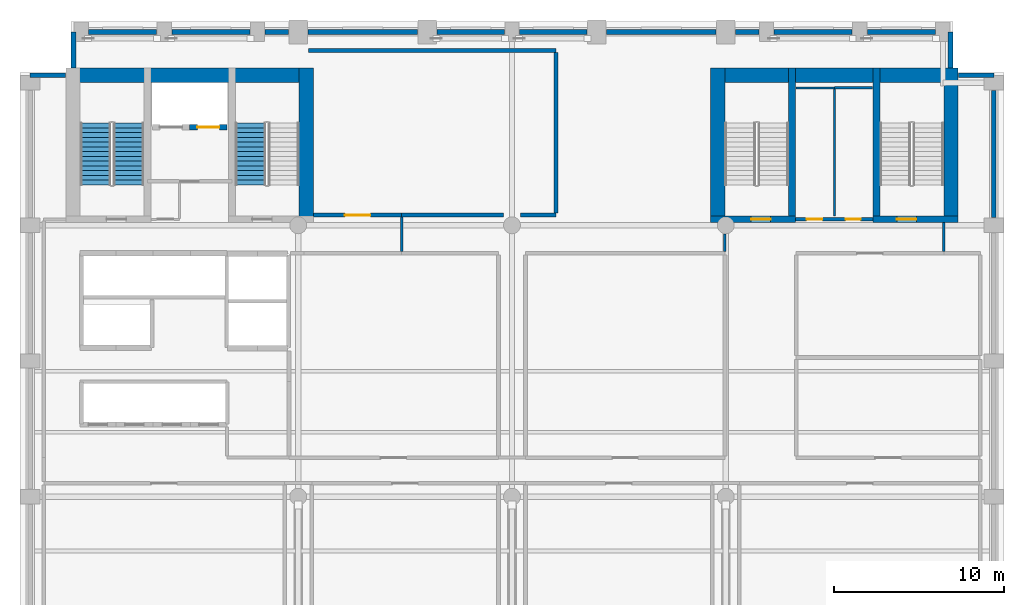
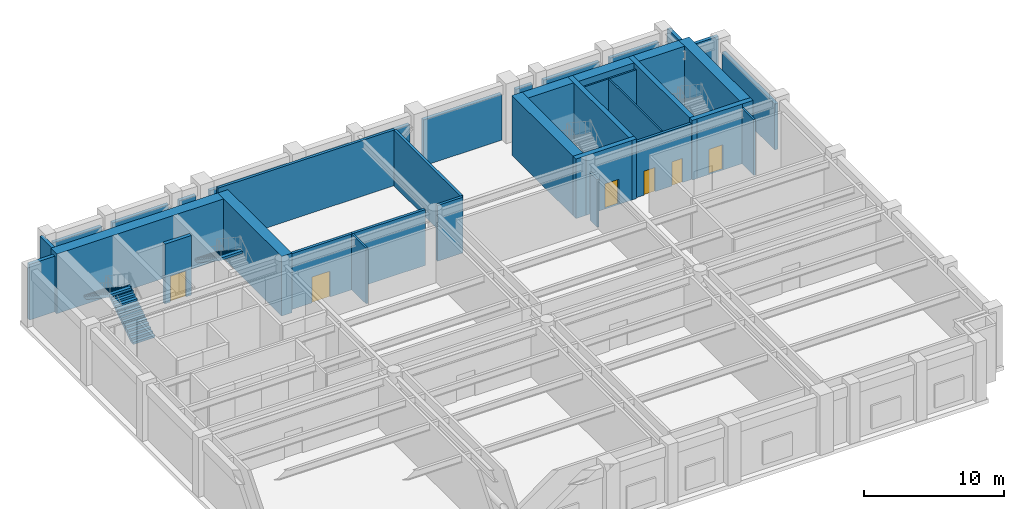
# One storey, part 7 of 11: 37 walls, 6 doors, 3 stair flights, 6 openings, 2 elements without a shape of their own.
"""IFC4 building model written with IfcOpenShell, lengths in metres."""

import ifcopenshell
import ifcopenshell.guid

model = None  # the IFC model being written
_history = None  # IfcOwnerHistory: only IFC2X3 demands one
_inside = {}  # id of a spatial element -> (the spatial element, [elements in it])
_under = {}  # id of a project, library or spatial element -> (it, [spatial elements below it])
_declared = {}  # id of a project -> (the project, [libraries it declares])
_typed = {}  # id of a type object -> (the type object, [elements of that type])
_made_of = {}  # id of a material, layer set ... -> (it, [elements and type objects made of it])


def new_model(schema):
    """Start an empty IFC model of exactly this schema.

    Asked for "IFC4X3", IfcOpenShell would pick the latest addendum, in which some entities
    have other attributes; the version numbers below select the first issue.
    IFC2X3 requires an IfcOwnerHistory on every rooted entity: one is made here for all.
    """
    global model, _history
    if schema == "IFC4X3":
        model = ifcopenshell.file(schema_version=(4, 3, 0, 0))
    else:
        model = ifcopenshell.file(schema=schema)
    _inside.clear()
    _under.clear()
    _declared.clear()
    _typed.clear()
    _made_of.clear()
    _history = None
    if model.schema == "IFC2X3":
        org = make("IfcOrganization", Name="unknown")
        user = make(
            "IfcPersonAndOrganization",
            ThePerson=make("IfcPerson", FamilyName="unknown"),
            TheOrganization=org,
        )
        app = make(
            "IfcApplication",
            ApplicationDeveloper=org,
            Version="unknown",
            ApplicationFullName="unknown",
            ApplicationIdentifier="unknown",
        )
        _history = make(
            "IfcOwnerHistory",
            OwningUser=user,
            OwningApplication=app,
            ChangeAction="ADDED",
            CreationDate=0,
        )
    return model


def make(cls, **values):
    """One entity of the class cls with the attributes given. An attribute that is None is left unset."""
    return model.create_entity(
        cls, **{name: value for name, value in values.items() if value is not None}
    )


def rooted(cls, **values):
    """An entity with a GlobalId (a new one), such as an element, a storey or a relation."""
    return make(cls, GlobalId=ifcopenshell.guid.new(), OwnerHistory=_history, **values)


def si_unit(unit_type, name, prefix=None):
    """IfcSIUnit, for example si_unit("LENGTHUNIT", "METRE", prefix="MILLI")."""
    return make("IfcSIUnit", UnitType=unit_type, Prefix=prefix, Name=name)


def assignment(units):
    """IfcUnitAssignment: the units of a project."""
    return None if units is None else make("IfcUnitAssignment", Units=units)


def point(xyz):
    """IfcCartesianPoint."""
    return None if xyz is None else make("IfcCartesianPoint", Coordinates=xyz)


def direction(xyz):
    """IfcDirection."""
    return None if xyz is None else make("IfcDirection", DirectionRatios=xyz)


def frame(location, z_axis=None, x_axis=None):
    """IfcAxis2Placement3D, a coordinate frame: its origin and axes. An axis left out is left unset."""
    return make(
        "IfcAxis2Placement3D",
        Location=point(location),
        Axis=direction(z_axis),
        RefDirection=direction(x_axis),
    )


def frame_2d(location, x_axis=None):
    """IfcAxis2Placement2D, a coordinate frame in the plane: its origin and x axis."""
    return make(
        "IfcAxis2Placement2D", Location=point(location), RefDirection=direction(x_axis)
    )


def origin():
    """The frame at (0, 0, 0) with its axes left unset."""
    return frame((0.0, 0.0, 0.0))


def place(relative_to, where):
    """IfcLocalPlacement: puts the frame where relative to a parent placement (None: the world)."""
    return make(
        "IfcLocalPlacement", PlacementRelTo=relative_to, RelativePlacement=where
    )


def context(
    kind, dimensions, precision=None, world=None, true_north=None, identifier=None
):
    """IfcGeometricRepresentationContext, for example the 3D "Model" context."""
    return make(
        "IfcGeometricRepresentationContext",
        ContextIdentifier=identifier,
        ContextType=kind,
        CoordinateSpaceDimension=dimensions,
        Precision=precision,
        WorldCoordinateSystem=world,
        TrueNorth=true_north,
    )


def subcontext(parent, identifier, kind, view, scale=None):
    """IfcGeometricRepresentationSubContext, for example "Body" below "Model"."""
    return make(
        "IfcGeometricRepresentationSubContext",
        ContextIdentifier=identifier,
        ContextType=kind,
        ParentContext=parent,
        TargetScale=scale,
        TargetView=view,
    )


def project(units=None, contexts=None):
    """IfcProject with its units and contexts."""
    return rooted(
        "IfcProject",
        Name="project",
        RepresentationContexts=contexts,
        UnitsInContext=assignment(units),
    )


def spatial(cls, under=None, at=None, **own):
    """A site, building, storey or space (cls), placed at a placement, below another one or the project."""
    s = rooted(cls, ObjectPlacement=at, **own)
    if under is not None:
        _under.setdefault(under.id(), (under, []))[1].append(s)
    return s


def polyline(points):
    """IfcPolyline through the points."""
    return make("IfcPolyline", Points=[point(p) for p in points])


def profile(cls, at=None, kind="AREA", **sizes):
    """A parametric profile (cls). Its sizes go by their IFC names, for example OverallWidth=200.0."""
    return make(cls, ProfileType=kind, Position=at, **sizes)


def rectangle(**sizes):
    """IfcRectangleProfileDef."""
    return profile("IfcRectangleProfileDef", **sizes)


def outline(outer, holes=None, kind="AREA"):
    """IfcArbitraryClosedProfileDef: a profile drawn as a closed curve; with holes, ...WithVoids."""
    if holes is None:
        return make("IfcArbitraryClosedProfileDef", ProfileType=kind, OuterCurve=outer)
    return make(
        "IfcArbitraryProfileDefWithVoids",
        ProfileType=kind,
        OuterCurve=outer,
        InnerCurves=holes,
    )


def extrude(swept, where, along, depth):
    """IfcExtrudedAreaSolid: the profile swept, set in the frame where, extruded along a direction by depth."""
    return make(
        "IfcExtrudedAreaSolid",
        SweptArea=swept,
        Position=where,
        ExtrudedDirection=direction(along),
        Depth=depth,
    )


def shape(context_of_items, identifier, shape_type, items):
    """IfcShapeRepresentation: the items that make up one representation, for example the "Body"."""
    return make(
        "IfcShapeRepresentation",
        ContextOfItems=context_of_items,
        RepresentationIdentifier=identifier,
        RepresentationType=shape_type,
        Items=items,
    )


def material(Name=None, Category=None):
    """IfcMaterial."""
    return make("IfcMaterial", Name=Name, Category=Category)


def layer(
    of_material, thickness, ventilated=None, Name=None, Category=None, Priority=None
):
    """IfcMaterialLayer: one layer of a wall or slab, of a material (None: an air gap)."""
    return make(
        "IfcMaterialLayer",
        Material=of_material,
        LayerThickness=thickness,
        IsVentilated=ventilated,
        Name=Name,
        Category=Category,
        Priority=Priority,
    )


def layer_set(layers, Name=None):
    """IfcMaterialLayerSet."""
    return make("IfcMaterialLayerSet", MaterialLayers=layers, LayerSetName=Name)


def made_of(thing, what):
    """Note that an element or type object is made of a material, layer set ...; save() writes the relation."""
    if what is not None:
        _made_of.setdefault(what.id(), (what, []))[1].append(thing)
    return thing


def type_object(cls, material=None, **own):
    """A type object (cls), such as IfcWallType, which elements share."""
    return made_of(rooted(cls, **own), material)


def element(
    cls,
    number,
    at=None,
    inside=None,
    cuts=None,
    type_object=None,
    material=None,
    context=None,
    identifier="Body",
    shape_type=None,
    held_by="IfcProductDefinitionShape",
    body=None,
    shapes=None,
    **own,
):
    """One element of the class cls, such as IfcWall. Its Tag is "e" and its number.

    at: its placement. inside: the storey or other place that contains it. cuts: it is an
    opening in that element (IfcRelVoidsElement). A single representation is given by context,
    identifier, shape_type and body (its items); several are given by shapes. held_by: the class
    of the entity that holds the representations. save() writes the other relations.
    """
    e = rooted(cls, Tag="e%d" % number, ObjectPlacement=at, **own)
    if body is not None:
        shapes = [shape(context, identifier, shape_type, body)]
    if shapes is not None:
        e.Representation = make(held_by, Representations=shapes)
    if inside is not None:
        _inside.setdefault(inside.id(), (inside, []))[1].append(e)
    if cuts is not None:
        rooted(
            "IfcRelVoidsElement", RelatingBuildingElement=cuts, RelatedOpeningElement=e
        )
    if type_object is not None:
        _typed.setdefault(type_object.id(), (type_object, []))[1].append(e)
    return made_of(e, material)


def fill(opening, filler):
    """IfcRelFillsElement: the door or window that sits in an opening."""
    return rooted(
        "IfcRelFillsElement",
        RelatingOpeningElement=opening,
        RelatedBuildingElement=filler,
    )


def aggregate(whole, parts):
    """IfcRelAggregates: a whole, such as a stair, and the parts it consists of."""
    return rooted("IfcRelAggregates", RelatingObject=whole, RelatedObjects=parts)


def save(model, path):
    """Write the relations noted so far, then the file.

    IfcRelAggregates (storeys below a building ...), IfcRelContainedInSpatialStructure (elements
    in a storey), IfcRelDefinesByType, IfcRelAssociatesMaterial and IfcRelDeclares: one each for
    every whole, place, type object, material and project.
    """
    for whole, parts in _under.values():
        aggregate(whole, parts)
    for where, things in _inside.values():
        rooted(
            "IfcRelContainedInSpatialStructure",
            RelatedElements=things,
            RelatingStructure=where,
        )
    for kind, things in _typed.values():
        rooted("IfcRelDefinesByType", RelatedObjects=things, RelatingType=kind)
    for what, things in _made_of.values():
        rooted("IfcRelAssociatesMaterial", RelatedObjects=things, RelatingMaterial=what)
    for by, libraries in _declared.values():
        rooted("IfcRelDeclares", RelatingContext=by, RelatedDefinitions=libraries)
    model.write(path)


model = new_model("IFC4")

# Units and contexts
model_context = context("Model", 3, precision=1e-05, world=origin(), true_north=direction((0.0, 1.0)))
body_context = subcontext(model_context, "Body", "Model", "MODEL_VIEW")
ifc_project = project(units=[si_unit("LENGTHUNIT", "METRE"), si_unit("AREAUNIT", "SQUARE_METRE"), si_unit("VOLUMEUNIT", "CUBIC_METRE"), si_unit("PLANEANGLEUNIT", "RADIAN"), si_unit("MASSUNIT", "GRAM", prefix="KILO")], contexts=[model_context])

# Site, building, storey
site_placement = place(None, origin())
site = spatial("IfcSite", under=ifc_project, at=site_placement, CompositionType="ELEMENT")
building_placement = place(site_placement, origin())
building = spatial("IfcBuilding", under=site, at=building_placement, Name="Sulina Concourse Tower", CompositionType="ELEMENT")
storey_placement = place(building_placement, frame((0.0, 0.0, 82.60009765625)))
storey = spatial("IfcBuildingStorey", under=building, at=storey_placement, Name="L20", CompositionType="ELEMENT", Elevation=82.60009765625)

# Wall, opening, door
ifc_material_1 = material(Name="Concrete C50/60", Category="concrete")
ifc_layer_1 = layer(ifc_material_1, 0.300048828125)
ifc_layer_set_1 = layer_set([ifc_layer_1], Name="Concrete C50/60")
wall_type_1 = type_object("IfcWallType", Name="Core Lift Hoistway Wall 300mm", PredefinedType="SOLIDWALL", material=ifc_layer_set_1)
wall_1_placement = place(storey_placement, frame((12.199951171875, 39.780029296875, 0.0), z_axis=(0.0, 0.0, 1.0), x_axis=(-1.0, 0.0, 0.0)))
wall_1 = element("IfcWall", 1, at=wall_1_placement, inside=storey, type_object=wall_type_1, Name="L20 hoistway enclosure wall FFL-2", PredefinedType="SOLIDWALL", context=body_context, shape_type="SweptSolid", body=[
    extrude(rectangle(XDim=2.199951171875, YDim=0.300048828125, at=frame_2d((1.10009765625, 0.0))), origin(), (0.0, 0.0, 1.0), 5.199951171875),
])
opening_1_placement = place(wall_1_placement, frame((0.449951171875, 0.0, 0.0)))
opening_1 = element("IfcOpeningElement", 2, at=opening_1_placement, cuts=wall_1, Name="Opening LD-02", PredefinedType="OPENING", context=body_context, shape_type="SweptSolid", body=[
    extrude(rectangle(XDim=1.300048828125, YDim=2.25, at=frame_2d((0.64990234375, 1.125))), frame((0.0, 0.159912109375, 0.0), z_axis=(0.0, -1.0, 0.0), x_axis=(1.0, 0.0, 0.0)), (0.0, 0.0, 1.0), 0.320068359375),
])
ifc_material_2 = material(Name="Stainless steel lift landing door", Category="steel")
ifc_layer_2 = layer(ifc_material_2, 0.050048828125)
ifc_layer_set_2 = layer_set([ifc_layer_2], Name="Stainless steel lift landing door")
door_type_1 = type_object("IfcDoorType", Name="Firefighting Lift Sliding Landing Door 1300x2250", OperationType="SLIDING_TO_RIGHT", PredefinedType="DOOR", material=ifc_layer_set_2)
door_1_placement = place(opening_1_placement, origin())
door_1 = element("IfcDoor", 3, at=door_1_placement, inside=storey, type_object=door_type_1, Name="L20 lift landing sliding door FFL-2", OperationType="SLIDING_TO_RIGHT", OverallHeight=2.25, OverallWidth=1.300048828125, PredefinedType="DOOR", context=body_context, shape_type="SweptSolid", body=[
    extrude(rectangle(XDim=1.300048828125, YDim=2.25, at=frame_2d((0.64990234375, 1.125))), frame((0.0, 0.02490234375, 0.0), z_axis=(0.0, -1.0, 0.0), x_axis=(1.0, 0.0, 0.0)), (0.0, 0.0, 1.0), 0.050048828125),
])
fill(opening_1, door_1)

# Wall, openings, doors
ifc_material_3 = material(Name="Gypsum board on steel stud", Category="steel")
ifc_layer_3 = layer(ifc_material_3, 0.219970703125)
ifc_layer_set_3 = layer_set([ifc_layer_3], Name="Gypsum board on steel stud")
wall_type_2 = type_object("IfcWallType", Name="Fire-Rated Lobby & Compartment Wall 220mm", PredefinedType="PARTITIONING", material=ifc_layer_set_3)
wall_2_placement = place(storey_placement, frame((45.719970703125, 34.35009765625, 0.0), z_axis=(0.0, 0.0, 1.0), x_axis=(1.0, 0.0, 0.0)))
wall_2 = element("IfcWall", 4, at=wall_2_placement, inside=storey, type_object=wall_type_2, Name="L20 east core south lobby wall", PredefinedType="PARTITIONING", context=body_context, shape_type="SweptSolid", body=[
    extrude(rectangle(XDim=4.56005859375, YDim=0.219970703125, at=frame_2d((2.280029296875, 0.0))), origin(), (0.0, 0.0, 1.0), 4.85986328125),
])
opening_2_placement = place(wall_2_placement, frame((0.64990234375, 0.0, 0.0)))
opening_2 = element("IfcOpeningElement", 5, at=opening_2_placement, cuts=wall_2, Name="Opening DR-61", PredefinedType="OPENING", context=body_context, shape_type="SweptSolid", body=[
    extrude(rectangle(XDim=0.919921875, YDim=2.10009765625, at=frame_2d((0.4599609375, 1.050048828125))), frame((0.0, 0.119873046875, 0.0), z_axis=(0.0, -1.0, 0.0), x_axis=(1.0, 0.0, 0.0)), (0.0, 0.0, 1.0), 0.239990234375),
])
opening_3_placement = place(wall_2_placement, frame((2.949951171875, 0.0, 0.0)))
opening_3 = element("IfcOpeningElement", 6, at=opening_3_placement, cuts=wall_2, Name="Opening DR-38", PredefinedType="OPENING", context=body_context, shape_type="SweptSolid", body=[
    extrude(rectangle(XDim=0.8798828125, YDim=2.10009765625, at=frame_2d((0.43994140625, 1.050048828125))), frame((0.0, 0.119873046875, 0.0), z_axis=(0.0, -1.0, 0.0), x_axis=(1.0, 0.0, 0.0)), (0.0, 0.0, 1.0), 0.239990234375),
])
ifc_material_4 = material(Name="Oak-veneered fire door leaf")
ifc_layer_4 = layer(ifc_material_4, 0.050048828125)
ifc_layer_set_4 = layer_set([ifc_layer_4], Name="Oak-veneered fire door leaf")
door_type_2 = type_object("IfcDoorType", Name="Accessible WC Door 920x2100", OperationType="NOTDEFINED", PredefinedType="DOOR", material=ifc_layer_set_4)
door_2_placement = place(opening_2_placement, origin())
door_2 = element("IfcDoor", 7, at=door_2_placement, inside=storey, type_object=door_type_2, Name="L20 east core accessible wc door", OperationType="SINGLE_SWING_LEFT", OverallHeight=2.10009765625, OverallWidth=0.919921875, PredefinedType="DOOR", context=body_context, shape_type="SweptSolid", body=[
    extrude(rectangle(XDim=0.919921875, YDim=2.10009765625, at=frame_2d((0.4599609375, 1.050048828125))), frame((0.0, 0.02490234375, 0.0), z_axis=(0.0, -1.0, 0.0), x_axis=(1.0, 0.0, 0.0)), (0.0, 0.0, 1.0), 0.050048828125),
])
fill(opening_2, door_2)
ifc_material_5 = material(Name="Galvanised steel acoustic fire leaf", Category="steel")
ifc_layer_5 = layer(ifc_material_5, 0.050048828125)
ifc_layer_set_5 = layer_set([ifc_layer_5], Name="Galvanised steel acoustic fire leaf")
door_type_3 = type_object("IfcDoorType", Name="Service Riser Fire Door 880x2100", OperationType="NOTDEFINED", PredefinedType="DOOR", material=ifc_layer_set_5)
door_3_placement = place(opening_3_placement, origin())
door_3 = element("IfcDoor", 8, at=door_3_placement, inside=storey, type_object=door_type_3, Name="L20 east core store door", OperationType="SINGLE_SWING_RIGHT", OverallHeight=2.10009765625, OverallWidth=0.8798828125, PredefinedType="DOOR", context=body_context, shape_type="SweptSolid", body=[
    extrude(rectangle(XDim=0.8798828125, YDim=2.10009765625, at=frame_2d((0.43994140625, 1.050048828125))), frame((0.0, 0.02490234375, 0.0), z_axis=(0.0, -1.0, 0.0), x_axis=(1.0, 0.0, 0.0)), (0.0, 0.0, 1.0), 0.050048828125),
])
fill(opening_3, door_3)

# Wall, opening, door
wall_3_placement = place(storey_placement, frame((17.300048828125, 34.60009765625, 0.0), z_axis=(0.0, 0.0, 1.0), x_axis=(1.0, 0.0, 0.0)))
wall_3 = element("IfcWall", 9, at=wall_3_placement, inside=storey, type_object=wall_type_2, Name="L20 interior partition 026", PredefinedType="PARTITIONING", context=body_context, shape_type="SweptSolid", body=[
    extrude(rectangle(XDim=5.199951171875, YDim=0.219970703125, at=frame_2d((2.60009765625, 0.0))), origin(), (0.0, 0.0, 1.0), 4.85986328125),
])
opening_4_placement = place(wall_3_placement, frame((1.85009765625, 0.0, 0.0)))
opening_4 = element("IfcOpeningElement", 10, at=opening_4_placement, cuts=wall_3, Name="Opening DR-80", PredefinedType="OPENING", context=body_context, shape_type="SweptSolid", body=[
    extrude(rectangle(XDim=1.5, YDim=2.25, at=frame_2d((0.75, 1.125))), frame((0.0, 0.119873046875, 0.0), z_axis=(0.0, -1.0, 0.0), x_axis=(1.0, 0.0, 0.0)), (0.0, 0.0, 1.0), 0.239990234375),
])
ifc_material_6 = material(Name="Galvanised steel acoustic fire leaf", Category="steel")
ifc_layer_6 = layer(ifc_material_6, 0.054931640625)
ifc_layer_set_6 = layer_set([ifc_layer_6], Name="Galvanised steel acoustic fire leaf")
door_type_4 = type_object("IfcDoorType", Name="Mechanical Plant Double Fire Door 1500x2250", OperationType="DOUBLE_DOOR_SINGLE_SWING", PredefinedType="DOOR", material=ifc_layer_set_6)
door_4_placement = place(opening_4_placement, origin())
door_4 = element("IfcDoor", 11, at=door_4_placement, inside=storey, type_object=door_type_4, Name="L20 interior door L20-REFUGE", OperationType="DOUBLE_DOOR_SINGLE_SWING", OverallHeight=2.25, OverallWidth=1.5, PredefinedType="DOOR", context=body_context, shape_type="SweptSolid", body=[
    extrude(rectangle(XDim=1.5, YDim=2.25, at=frame_2d((0.75, 1.125))), frame((0.0, 0.02490234375, 0.0), z_axis=(0.0, -1.0, 0.0), x_axis=(1.0, 0.0, 0.0)), (0.0, 0.0, 1.0), 0.050048828125),
])
fill(opening_4, door_4)

# Walls
wall_4_placement = place(storey_placement, frame((22.5, 34.60009765625, 0.0), z_axis=(0.0, 0.0, 1.0), x_axis=(1.0, 0.0, 0.0)))
element("IfcWall", 12, at=wall_4_placement, inside=storey, type_object=wall_type_2, Name="L20 interior partition 027", PredefinedType="PARTITIONING", context=body_context, shape_type="SweptSolid", body=[
    extrude(rectangle(XDim=6.0, YDim=0.219970703125, at=frame_2d((3.0, 0.0))), origin(), (0.0, 0.0, 1.0), 4.85986328125),
])
wall_5_placement = place(storey_placement, frame((29.5, 34.60009765625, 0.0), z_axis=(0.0, 0.0, 1.0), x_axis=(1.0, 0.0, 0.0)))
element("IfcWall", 13, at=wall_5_placement, inside=storey, type_object=wall_type_2, Name="L20 interior partition 028", PredefinedType="PARTITIONING", context=body_context, shape_type="SweptSolid", body=[
    extrude(rectangle(XDim=2.10009765625, YDim=0.219970703125, at=frame_2d((1.050048828125, 0.0))), origin(), (0.0, 0.0, 1.0), 4.85986328125),
])
wall_6_placement = place(storey_placement, frame((17.0, 44.300048828125, 0.0), z_axis=(0.0, 0.0, 1.0), x_axis=(1.0, 0.0, 0.0)))
element("IfcWall", 14, at=wall_6_placement, inside=storey, type_object=wall_type_2, Name="L20 interior partition 031", PredefinedType="PARTITIONING", context=body_context, shape_type="SweptSolid", body=[
    extrude(rectangle(XDim=14.60009765625, YDim=0.219970703125, at=frame_2d((7.300048828125, 0.0))), origin(), (0.0, 0.0, 1.0), 4.85986328125),
])
wall_7_placement = place(storey_placement, frame((31.60009765625, 34.7099609375, 0.0), z_axis=(0.0, 0.0, 1.0), x_axis=(0.0, 1.0, 0.0)))
element("IfcWall", 15, at=wall_7_placement, inside=storey, type_object=wall_type_2, Name="L20 interior partition 046", PredefinedType="PARTITIONING", context=body_context, shape_type="SweptSolid", body=[
    extrude(rectangle(XDim=9.47998046875, YDim=0.219970703125, at=frame_2d((4.739990234375, 0.0))), origin(), (0.0, 0.0, 1.0), 4.85986328125),
])
ifc_material_7 = material(Name="Gypsum board on steel stud", Category="steel")
ifc_layer_7 = layer(ifc_material_7, 0.14990234375)
ifc_layer_set_7 = layer_set([ifc_layer_7], Name="Gypsum board on steel stud")
wall_type_3 = type_object("IfcWallType", Name="Inter-Tenancy Acoustic Partition 150mm", PredefinedType="PARTITIONING", material=ifc_layer_set_7)
wall_8_placement = place(storey_placement, frame((48.0, 42.10009765625, 0.0), z_axis=(0.0, 0.0, 1.0), x_axis=(1.0, 0.0, 0.0)))
element("IfcWall", 16, at=wall_8_placement, inside=storey, type_object=wall_type_3, Name="L20 interior partition 030", PredefinedType="PARTITIONING", context=body_context, shape_type="SweptSolid", body=[
    extrude(rectangle(XDim=2.25, YDim=0.14990234375, at=frame_2d((1.125, 0.0))), origin(), (0.0, 0.0, 1.0), 4.85986328125),
])
wall_9_placement = place(storey_placement, frame((22.5, 32.4599609375, 0.0), z_axis=(0.0, 0.0, 1.0), x_axis=(0.0, 1.0, 0.0)))
element("IfcWall", 17, at=wall_9_placement, inside=storey, type_object=wall_type_3, Name="L20 interior partition 041", PredefinedType="PARTITIONING", context=body_context, shape_type="SweptSolid", body=[
    extrude(rectangle(XDim=2.030029296875, YDim=0.14990234375, at=frame_2d((1.01513671875, 0.0))), origin(), (0.0, 0.0, 1.0), 4.85986328125),
])
wall_10_placement = place(storey_placement, frame((41.550048828125, 32.4599609375, 0.0), z_axis=(0.0, 0.0, 1.0), x_axis=(0.0, 1.0, 0.0)))
element("IfcWall", 18, at=wall_10_placement, inside=storey, type_object=wall_type_3, Name="L20 interior partition 049", PredefinedType="PARTITIONING", context=body_context, shape_type="SweptSolid", body=[
    extrude(rectangle(XDim=1.0400390625, YDim=0.14990234375, at=frame_2d((0.52001953125, 0.0))), origin(), (0.0, 0.0, 1.0), 4.15478515625),
])
wall_11_placement = place(storey_placement, frame((54.449951171875, 32.4599609375, 0.0), z_axis=(0.0, 0.0, 1.0), x_axis=(0.0, 1.0, 0.0)))
element("IfcWall", 19, at=wall_11_placement, inside=storey, type_object=wall_type_3, Name="L20 interior partition 054", PredefinedType="PARTITIONING", context=body_context, shape_type="SweptSolid", body=[
    extrude(rectangle(XDim=1.68994140625, YDim=0.14990234375, at=frame_2d((0.844970703125, 0.0))), origin(), (0.0, 0.0, 1.0), 4.85986328125),
])

# Wall, opening, door
ifc_material_8 = material(Name="Concrete C60/75", Category="concrete")
ifc_layer_8 = layer(ifc_material_8, 0.39990234375)
ifc_layer_set_8 = layer_set([ifc_layer_8], Name="Concrete C60/75")
wall_type_4 = type_object("IfcWallType", Name="Protected Stair Core Shear Wall 400mm", PredefinedType="SHEAR", material=ifc_layer_set_8)
wall_12_placement = place(storey_placement, frame((40.699951171875, 34.35009765625, 0.0), z_axis=(0.0, 0.0, 1.0), x_axis=(1.0, 0.0, 0.0)))
wall_12 = element("IfcWall", 20, at=wall_12_placement, inside=storey, type_object=wall_type_4, Name="L20 east core shear wall CW-ES1", PredefinedType="SHEAR", context=body_context, shape_type="SweptSolid", body=[
    extrude(rectangle(XDim=5.010009765625, YDim=0.39990234375, at=frame_2d((2.5048828125, 0.0))), origin(), (0.0, 0.0, 1.0), 5.199951171875),
])
opening_5_placement = place(wall_12_placement, frame((2.39990234375, 0.0, 0.0)))
opening_5 = element("IfcOpeningElement", 21, at=opening_5_placement, cuts=wall_12, Name="Opening DR-60", PredefinedType="OPENING", context=body_context, shape_type="SweptSolid", body=[
    extrude(rectangle(XDim=1.14990234375, YDim=2.199951171875, at=frame_2d((0.574951171875, 1.10009765625))), frame((0.0, 0.2099609375, 0.0), z_axis=(0.0, -1.0, 0.0), x_axis=(1.0, 0.0, 0.0)), (0.0, 0.0, 1.0), 0.419921875),
])
ifc_material_9 = material(Name="Galvanised steel acoustic fire leaf", Category="steel")
ifc_layer_9 = layer(ifc_material_9, 0.054931640625)
ifc_layer_set_9 = layer_set([ifc_layer_9], Name="Galvanised steel acoustic fire leaf")
door_type_5 = type_object("IfcDoorType", Name="Protected Exit Stair Fire Door 1150x2200", OperationType="NOTDEFINED", PredefinedType="DOOR", material=ifc_layer_set_9)
door_5_placement = place(opening_5_placement, origin())
door_5 = element("IfcDoor", 22, at=door_5_placement, inside=storey, type_object=door_type_5, Name="L20 stair ST-3 south lobby fire door", OperationType="SINGLE_SWING_RIGHT", OverallHeight=2.199951171875, OverallWidth=1.14990234375, PredefinedType="DOOR", context=body_context, shape_type="SweptSolid", body=[
    extrude(rectangle(XDim=1.14990234375, YDim=2.199951171875, at=frame_2d((0.574951171875, 1.10009765625))), frame((0.0, 0.02490234375, 0.0), z_axis=(0.0, -1.0, 0.0), x_axis=(1.0, 0.0, 0.0)), (0.0, 0.0, 1.0), 0.050048828125),
])
fill(opening_5, door_5)

# Wall
wall_13_placement = place(storey_placement, frame((45.510009765625, 34.14990234375, 0.0), z_axis=(0.0, 0.0, 1.0), x_axis=(0.0, 1.0, 0.0)))
element("IfcWall", 23, at=wall_13_placement, inside=storey, type_object=wall_type_4, Name="L20 east core shear wall SW-ST3", PredefinedType="SHEAR", context=body_context, shape_type="SweptSolid", body=[
    extrude(rectangle(XDim=9.130126953125, YDim=0.39990234375, at=frame_2d((4.56494140625, 0.0))), origin(), (0.0, 0.0, 1.0), 5.199951171875),
])

# Wall, opening, door
wall_14_placement = place(storey_placement, frame((50.2900390625, 34.35009765625, 0.0), z_axis=(0.0, 0.0, 1.0), x_axis=(1.0, 0.0, 0.0)))
wall_14 = element("IfcWall", 24, at=wall_14_placement, inside=storey, type_object=wall_type_4, Name="L20 east core shear wall CW-ES2", PredefinedType="SHEAR", context=body_context, shape_type="SweptSolid", body=[
    extrude(rectangle(XDim=5.010009765625, YDim=0.39990234375, at=frame_2d((2.5048828125, 0.0))), origin(), (0.0, 0.0, 1.0), 5.199951171875),
])
opening_6_placement = place(wall_14_placement, frame((1.39990234375, 0.0, 0.0)))
opening_6 = element("IfcOpeningElement", 25, at=opening_6_placement, cuts=wall_14, Name="Opening DR-60", PredefinedType="OPENING", context=body_context, shape_type="SweptSolid", body=[
    extrude(rectangle(XDim=1.14990234375, YDim=2.199951171875, at=frame_2d((0.574951171875, 1.10009765625))), frame((0.0, 0.2099609375, 0.0), z_axis=(0.0, -1.0, 0.0), x_axis=(1.0, 0.0, 0.0)), (0.0, 0.0, 1.0), 0.419921875),
])
door_6_placement = place(opening_6_placement, origin())
door_6 = element("IfcDoor", 26, at=door_6_placement, inside=storey, type_object=door_type_5, Name="L20 stair ST-4 south lobby fire door", OperationType="SINGLE_SWING_LEFT", OverallHeight=2.199951171875, OverallWidth=1.14990234375, PredefinedType="DOOR", context=body_context, shape_type="SweptSolid", body=[
    extrude(rectangle(XDim=1.14990234375, YDim=2.199951171875, at=frame_2d((0.574951171875, 1.10009765625))), frame((0.0, 0.02490234375, 0.0), z_axis=(0.0, -1.0, 0.0), x_axis=(1.0, 0.0, 0.0)), (0.0, 0.0, 1.0), 0.050048828125),
])
fill(opening_6, door_6)

# Walls
wall_15_placement = place(storey_placement, frame((50.489990234375, 34.14990234375, 0.0), z_axis=(0.0, 0.0, 1.0), x_axis=(0.0, 1.0, 0.0)))
element("IfcWall", 27, at=wall_15_placement, inside=storey, type_object=wall_type_4, Name="L20 east core shear wall SW-ST4", PredefinedType="SHEAR", context=body_context, shape_type="SweptSolid", body=[
    extrude(rectangle(XDim=9.130126953125, YDim=0.39990234375, at=frame_2d((4.56494140625, 0.0))), origin(), (0.0, 0.0, 1.0), 5.199951171875),
])
ifc_material_10 = material(Name="Concrete C60/75", Category="concrete")
ifc_layer_10 = layer(ifc_material_10, 0.85009765625)
ifc_layer_set_10 = layer_set([ifc_layer_10], Name="Concrete C60/75")
wall_type_5 = type_object("IfcWallType", Name="Rear Core Shear Wall 850mm", PredefinedType="SHEAR", material=ifc_layer_set_10)
wall_16_placement = place(storey_placement, frame((2.699951171875, 42.85498046875, 0.0), z_axis=(0.0, 0.0, 1.0), x_axis=(1.0, 0.0, 0.0)))
element("IfcWall", 28, at=wall_16_placement, inside=storey, type_object=wall_type_5, Name="L20 west core shear wall CW-WN", PredefinedType="SHEAR", context=body_context, shape_type="SweptSolid", body=[
    extrude(rectangle(XDim=14.60009765625, YDim=0.85009765625, at=frame_2d((7.300048828125, 0.0))), origin(), (0.0, 0.0, 1.0), 5.199951171875),
])
wall_17_placement = place(storey_placement, frame((16.875, 34.14990234375, 0.0), z_axis=(0.0, 0.0, 1.0), x_axis=(0.0, 1.0, 0.0)))
element("IfcWall", 29, at=wall_17_placement, inside=storey, type_object=wall_type_5, Name="L20 west core shear wall CW-WE", PredefinedType="SHEAR", context=body_context, shape_type="SweptSolid", body=[
    extrude(rectangle(XDim=9.130126953125, YDim=0.85009765625, at=frame_2d((4.56494140625, 0.0))), origin(), (0.0, 0.0, 1.0), 5.199951171875),
])
wall_18_placement = place(storey_placement, frame((40.699951171875, 42.85498046875, 0.0), z_axis=(0.0, 0.0, 1.0), x_axis=(1.0, 0.0, 0.0)))
element("IfcWall", 30, at=wall_18_placement, inside=storey, type_object=wall_type_5, Name="L20 east core shear wall CW-EN", PredefinedType="SHEAR", context=body_context, shape_type="SweptSolid", body=[
    extrude(rectangle(XDim=14.60009765625, YDim=0.85009765625, at=frame_2d((7.300048828125, 0.0))), origin(), (0.0, 0.0, 1.0), 5.199951171875),
])
for number, where, z_axis, x_axis, name in (
    (31, (41.125, 34.14990234375, 0.0), (0.0, 0.0, 1.0), (0.0, 1.0, 0.0), "L20 east core shear wall CW-EW"),
    (32, (54.875, 34.14990234375, 0.0), (0.0, 0.0, 1.0), (0.0, 1.0, 0.0), "L20 east core shear wall CW-EE"),
):
    element("IfcWall", number, at=place(storey_placement, frame(where, z_axis=z_axis, x_axis=x_axis)), inside=storey, type_object=wall_type_5, Name=name, PredefinedType="SHEAR", context=body_context, shape_type="SweptSolid", body=[
        extrude(rectangle(XDim=9.130126953125, YDim=0.85009765625, at=frame_2d((4.56494140625, 0.0))), origin(), (0.0, 0.0, 1.0), 5.199951171875),
    ])
ifc_material_11 = material(Name="Precast concrete C50/60", Category="concrete")
ifc_layer_11 = layer(ifc_material_11, 0.280029296875)
ifc_layer_set_11 = layer_set([ifc_layer_11], Name="Precast concrete C50/60")
wall_type_6 = type_object("IfcWallType", Name="Typical Precast Masonry-Frame Facade Wall 280mm", PredefinedType="SOLIDWALL", material=ifc_layer_set_11)
wall_19_placement = place(storey_placement, frame((4.044921875, 45.39990234375, 0.0), z_axis=(0.0, 0.0, 1.0), x_axis=(1.0, 0.0, 0.0)))
element("IfcWall", 33, at=wall_19_placement, inside=storey, type_object=wall_type_6, Name="L20 exterior precast wall N1", PredefinedType="SOLIDWALL", context=body_context, shape_type="SweptSolid", body=[
    extrude(rectangle(XDim=4.010009765625, YDim=0.280029296875, at=frame_2d((2.0048828125, 0.0))), origin(), (0.0, 0.0, 1.0), 4.010009765625),
])
wall_20_placement = place(storey_placement, frame((8.945068359375, 45.39990234375, 0.0), z_axis=(0.0, 0.0, 1.0), x_axis=(1.0, 0.0, 0.0)))
element("IfcWall", 34, at=wall_20_placement, inside=storey, type_object=wall_type_6, Name="L20 exterior precast wall N2", PredefinedType="SOLIDWALL", context=body_context, shape_type="SweptSolid", body=[
    extrude(rectangle(XDim=4.60986328125, YDim=0.280029296875, at=frame_2d((2.304931640625, 0.0))), origin(), (0.0, 0.0, 1.0), 4.010009765625),
])
wall_21_placement = place(storey_placement, frame((14.445068359375, 45.39990234375, 0.0), z_axis=(0.0, 0.0, 1.0), x_axis=(1.0, 0.0, 0.0)))
element("IfcWall", 35, at=wall_21_placement, inside=storey, type_object=wall_type_6, Name="L20 exterior precast wall N3", PredefinedType="SOLIDWALL", context=body_context, shape_type="SweptSolid", body=[
    extrude(rectangle(XDim=1.385009765625, YDim=0.280029296875, at=frame_2d((0.6923828125, 0.0))), origin(), (0.0, 0.0, 1.0), 4.010009765625),
])
wall_22_placement = place(storey_placement, frame((16.969970703125, 45.39990234375, 0.0), z_axis=(0.0, 0.0, 1.0), x_axis=(1.0, 0.0, 0.0)))
element("IfcWall", 36, at=wall_22_placement, inside=storey, type_object=wall_type_6, Name="L20 exterior precast wall N4", PredefinedType="SOLIDWALL", context=body_context, shape_type="SweptSolid", body=[
    extrude(rectangle(XDim=6.4599609375, YDim=0.280029296875, at=frame_2d((3.22998046875, 0.0))), origin(), (0.0, 0.0, 1.0), 4.010009765625),
])
for number, where, z_axis, x_axis, name in (
    (37, (24.570068359375, 45.39990234375, 0.0), (0.0, 0.0, 1.0), (1.0, 0.0, 0.0), "L20 exterior precast wall N5"),
    (38, (29.445068359375, 45.39990234375, 0.0), (0.0, 0.0, 1.0), (1.0, 0.0, 0.0), "L20 exterior precast wall N6"),
):
    element("IfcWall", number, at=place(storey_placement, frame(where, z_axis=z_axis, x_axis=x_axis)), inside=storey, type_object=wall_type_6, Name=name, PredefinedType="SOLIDWALL", context=body_context, shape_type="SweptSolid", body=[
        extrude(rectangle(XDim=3.98486328125, YDim=0.280029296875, at=frame_2d((1.992431640625, 0.0))), origin(), (0.0, 0.0, 1.0), 4.010009765625),
    ])
wall_23_placement = place(storey_placement, frame((34.570068359375, 45.39990234375, 0.0), z_axis=(0.0, 0.0, 1.0), x_axis=(1.0, 0.0, 0.0)))
element("IfcWall", 39, at=wall_23_placement, inside=storey, type_object=wall_type_6, Name="L20 exterior precast wall N7", PredefinedType="SOLIDWALL", context=body_context, shape_type="SweptSolid", body=[
    extrude(rectangle(XDim=6.4599609375, YDim=0.280029296875, at=frame_2d((3.22998046875, 0.0))), origin(), (0.0, 0.0, 1.0), 4.010009765625),
])
wall_24_placement = place(storey_placement, frame((42.169921875, 45.39990234375, 0.0), z_axis=(0.0, 0.0, 1.0), x_axis=(1.0, 0.0, 0.0)))
element("IfcWall", 40, at=wall_24_placement, inside=storey, type_object=wall_type_6, Name="L20 exterior precast wall N8", PredefinedType="SOLIDWALL", context=body_context, shape_type="SweptSolid", body=[
    extrude(rectangle(XDim=1.385009765625, YDim=0.280029296875, at=frame_2d((0.6923828125, 0.0))), origin(), (0.0, 0.0, 1.0), 4.010009765625),
])
wall_25_placement = place(storey_placement, frame((44.445068359375, 45.39990234375, 0.0), z_axis=(0.0, 0.0, 1.0), x_axis=(1.0, 0.0, 0.0)))
element("IfcWall", 41, at=wall_25_placement, inside=storey, type_object=wall_type_6, Name="L20 exterior precast wall N9", PredefinedType="SOLIDWALL", context=body_context, shape_type="SweptSolid", body=[
    extrude(rectangle(XDim=4.60986328125, YDim=0.280029296875, at=frame_2d((2.304931640625, 0.0))), origin(), (0.0, 0.0, 1.0), 4.010009765625),
])
wall_26_placement = place(storey_placement, frame((49.945068359375, 45.39990234375, 0.0), z_axis=(0.0, 0.0, 1.0), x_axis=(1.0, 0.0, 0.0)))
element("IfcWall", 42, at=wall_26_placement, inside=storey, type_object=wall_type_6, Name="L20 exterior precast wall N10", PredefinedType="SOLIDWALL", context=body_context, shape_type="SweptSolid", body=[
    extrude(rectangle(XDim=4.010009765625, YDim=0.280029296875, at=frame_2d((2.0048828125, 0.0))), origin(), (0.0, 0.0, 1.0), 4.010009765625),
])
wall_27_placement = place(storey_placement, frame((57.39990234375, 41.955078125, 0.0), z_axis=(0.0, 0.0, 1.0), x_axis=(0.0, -1.0, 0.0)))
element("IfcWall", 43, at=wall_27_placement, inside=storey, type_object=wall_type_6, Name="L20 exterior precast wall E5", PredefinedType="SOLIDWALL", context=body_context, shape_type="SweptSolid", body=[
    extrude(rectangle(XDim=7.510009765625, YDim=0.280029296875, at=frame_2d((3.7548828125, 0.0))), origin(), (0.0, 0.0, 1.0), 4.010009765625),
])
wall_28_placement = place(storey_placement, frame((0.60009765625, 42.844970703125, 0.0), z_axis=(0.0, 0.0, 1.0), x_axis=(1.0, 0.0, 0.0)))
element("IfcWall", 44, at=wall_28_placement, inside=storey, type_object=wall_type_6, Name="L20 exterior precast wall CNW1", PredefinedType="SOLIDWALL", context=body_context, shape_type="SweptSolid", body=[
    extrude(rectangle(XDim=2.094970703125, YDim=0.280029296875, at=frame_2d((1.04736328125, 0.0))), origin(), (0.0, 0.0, 1.0), 4.85986328125),
])
for number, where, z_axis, x_axis, name in (
    (45, (3.155029296875, 43.284912109375, 0.0), (0.0, 0.0, 1.0), (0.0, 1.0, 0.0), "L20 exterior precast wall CNW2"),
    (46, (54.844970703125, 45.39990234375, 0.0), (0.0, 0.0, 1.0), (0.0, -1.0, 0.0), "L20 exterior precast wall CNE1"),
):
    element("IfcWall", number, at=place(storey_placement, frame(where, z_axis=z_axis, x_axis=x_axis)), inside=storey, type_object=wall_type_6, Name=name, PredefinedType="SOLIDWALL", context=body_context, shape_type="SweptSolid", body=[
        extrude(rectangle(XDim=2.114990234375, YDim=0.280029296875, at=frame_2d((1.0576171875, 0.0))), origin(), (0.0, 0.0, 1.0), 4.85986328125),
    ])
wall_29_placement = place(storey_placement, frame((55.304931640625, 42.844970703125, 0.0), z_axis=(0.0, 0.0, 1.0), x_axis=(1.0, 0.0, 0.0)))
element("IfcWall", 47, at=wall_29_placement, inside=storey, type_object=wall_type_6, Name="L20 exterior precast wall CNE2", PredefinedType="SOLIDWALL", context=body_context, shape_type="SweptSolid", body=[
    extrude(rectangle(XDim=2.094970703125, YDim=0.280029296875, at=frame_2d((1.04736328125, 0.0))), origin(), (0.0, 0.0, 1.0), 4.85986328125),
])
ifc_material_12 = material(Name="Gypsum board on steel stud", Category="steel")
ifc_layer_12 = layer(ifc_material_12, 0.125)
ifc_layer_set_12 = layer_set([ifc_layer_12], Name="Gypsum board on steel stud")
wall_type_7 = type_object("IfcWallType", Name="Wet-Area Moisture-Resistant Partition 125mm", PredefinedType="PARTITIONING", material=ifc_layer_set_12)
wall_30_placement = place(storey_placement, frame((45.75, 42.10009765625, 0.0), z_axis=(0.0, 0.0, 1.0), x_axis=(1.0, 0.0, 0.0)))
element("IfcWall", 48, at=wall_30_placement, inside=storey, type_object=wall_type_7, Name="L20 interior partition 029", PredefinedType="PARTITIONING", context=body_context, shape_type="SweptSolid", body=[
    extrude(rectangle(XDim=2.25, YDim=0.125, at=frame_2d((1.125, 0.0))), origin(), (0.0, 0.0, 1.0), 4.85986328125),
])
wall_31_placement = place(storey_placement, frame((48.0, 34.550048828125, 0.0), z_axis=(0.0, 0.0, 1.0), x_axis=(0.0, 1.0, 0.0)))
element("IfcWall", 49, at=wall_31_placement, inside=storey, type_object=wall_type_7, Name="L20 interior partition 053", PredefinedType="PARTITIONING", context=body_context, shape_type="SweptSolid", body=[
    extrude(rectangle(XDim=7.474853515625, YDim=0.125, at=frame_2d((3.7373046875, 0.0))), origin(), (0.0, 0.0, 1.0), 4.85986328125),
])

# Stair, stair flights
ifc_material_13 = material(Name="Concrete C50/60", Category="concrete")
stair_type = type_object("IfcStairType", Name="Primary Core Dog-Leg Exit Stair 1800mm", PredefinedType="HALF_TURN_STAIR", material=ifc_material_13)
stair_1_placement = place(storey_placement, origin())
stair_1 = element("IfcStair", 50, at=stair_1_placement, inside=storey, type_object=stair_type, Name="L20 ST-1", PredefinedType="HALF_TURN_STAIR")
ifc_material_14 = material(Name="Concrete C50/60", Category="concrete")
stair_flight_type = type_object("IfcStairFlightType", Name="Primary Core Dog-Leg Exit Stair 1800mm Flight", PredefinedType="STRAIGHT", material=ifc_material_14)
stair_flight_1_placement = place(storey_placement, frame((6.405029296875, 36.375, 0.0), z_axis=(0.0, 0.0, 1.0), x_axis=(0.0, 1.0, 0.0)))
stair_flight_1 = element("IfcStairFlight", 51, at=stair_flight_1_placement, type_object=stair_flight_type, Name="ST-1 flight 1", NumberOfRisers=14, NumberOfTreads=13, PredefinedType="STRAIGHT", RiserHeight=0.185714286, TreadLength=0.28, context=body_context, shape_type="SweptSolid", body=[
    extrude(outline(polyline([(0.0, 0.0), (0.0, 0.185791015625), (0.280029296875, 0.185791015625), (0.280029296875, 0.371337890625), (0.56005859375, 0.371337890625), (0.56005859375, 0.55712890625), (0.840087890625, 0.55712890625), (0.840087890625, 0.742919921875), (1.1201171875, 0.742919921875), (1.1201171875, 0.928466796875), (1.39990234375, 0.928466796875), (1.39990234375, 1.1142578125), (1.679931640625, 1.1142578125), (1.679931640625, 1.300048828125), (1.9599609375, 1.300048828125), (1.9599609375, 1.485595703125), (2.239990234375, 1.485595703125), (2.239990234375, 1.67138671875), (2.52001953125, 1.67138671875), (2.52001953125, 1.857177734375), (2.800048828125, 1.857177734375), (2.800048828125, 2.04296875), (3.080078125, 2.04296875), (3.080078125, 2.228515625), (3.360107421875, 2.228515625), (3.360107421875, 2.414306640625), (3.639892578125, 2.414306640625), (3.639892578125, 2.60009765625), (3.639892578125, 2.198486328125), (0.325439453125, 0.0), (0.0, 0.0)])), frame((0.0, 0.89990234375, 0.0), z_axis=(0.0, -1.0, 0.0), x_axis=(1.0, 0.0, 0.0)), (0.0, 0.0, 1.0), 1.800048828125),
])
stair_flight_2_placement = place(storey_placement, frame((4.455078125, 40.014892578125, 2.599853515625), z_axis=(0.0, 0.0, 1.0), x_axis=(0.0, -1.0, 0.0)))
stair_flight_2 = element("IfcStairFlight", 52, at=stair_flight_2_placement, type_object=stair_flight_type, Name="ST-1 flight 2", NumberOfRisers=14, NumberOfTreads=13, PredefinedType="STRAIGHT", RiserHeight=0.185714286, TreadLength=0.28, context=body_context, shape_type="SweptSolid", body=[
    extrude(outline(polyline([(0.0, 0.0), (0.0, 0.185791015625), (0.280029296875, 0.185791015625), (0.280029296875, 0.371337890625), (0.56005859375, 0.371337890625), (0.56005859375, 0.55712890625), (0.840087890625, 0.55712890625), (0.840087890625, 0.742919921875), (1.1201171875, 0.742919921875), (1.1201171875, 0.928466796875), (1.39990234375, 0.928466796875), (1.39990234375, 1.1142578125), (1.679931640625, 1.1142578125), (1.679931640625, 1.300048828125), (1.9599609375, 1.300048828125), (1.9599609375, 1.485595703125), (2.239990234375, 1.485595703125), (2.239990234375, 1.67138671875), (2.52001953125, 1.67138671875), (2.52001953125, 1.857177734375), (2.800048828125, 1.857177734375), (2.800048828125, 2.04296875), (3.080078125, 2.04296875), (3.080078125, 2.228515625), (3.360107421875, 2.228515625), (3.360107421875, 2.414306640625), (3.639892578125, 2.414306640625), (3.639892578125, 2.60009765625), (3.639892578125, 2.198486328125), (0.325439453125, 0.0), (0.0, 0.0)])), frame((0.0, 0.89990234375, 0.0), z_axis=(0.0, -1.0, 0.0), x_axis=(1.0, 0.0, 0.0)), (0.0, 0.0, 1.0), 1.800048828125),
])
aggregate(stair_1, [stair_flight_1, stair_flight_2])

# Stair, stair flight
stair_2_placement = place(storey_placement, origin())
stair_2 = element("IfcStair", 53, at=stair_2_placement, inside=storey, type_object=stair_type, Name="L20 ST-2", PredefinedType="HALF_TURN_STAIR")
stair_flight_3_placement = place(storey_placement, frame((13.594970703125, 40.014892578125, 2.599853515625), z_axis=(0.0, 0.0, 1.0), x_axis=(0.0, -1.0, 0.0)))
stair_flight_3 = element("IfcStairFlight", 54, at=stair_flight_3_placement, type_object=stair_flight_type, Name="ST-2 flight 2", NumberOfRisers=14, NumberOfTreads=13, PredefinedType="STRAIGHT", RiserHeight=0.185714286, TreadLength=0.28, context=body_context, shape_type="SweptSolid", body=[
    extrude(outline(polyline([(0.0, 0.0), (0.0, 0.185791015625), (0.280029296875, 0.185791015625), (0.280029296875, 0.371337890625), (0.56005859375, 0.371337890625), (0.56005859375, 0.55712890625), (0.840087890625, 0.55712890625), (0.840087890625, 0.742919921875), (1.1201171875, 0.742919921875), (1.1201171875, 0.928466796875), (1.39990234375, 0.928466796875), (1.39990234375, 1.1142578125), (1.679931640625, 1.1142578125), (1.679931640625, 1.300048828125), (1.9599609375, 1.300048828125), (1.9599609375, 1.485595703125), (2.239990234375, 1.485595703125), (2.239990234375, 1.67138671875), (2.52001953125, 1.67138671875), (2.52001953125, 1.857177734375), (2.800048828125, 1.857177734375), (2.800048828125, 2.04296875), (3.080078125, 2.04296875), (3.080078125, 2.228515625), (3.360107421875, 2.228515625), (3.360107421875, 2.414306640625), (3.639892578125, 2.414306640625), (3.639892578125, 2.60009765625), (3.639892578125, 2.198486328125), (0.325439453125, 0.0), (0.0, 0.0)])), frame((0.0, 0.89990234375, 0.0), z_axis=(0.0, -1.0, 0.0), x_axis=(1.0, 0.0, 0.0)), (0.0, 0.0, 1.0), 1.800048828125),
])
aggregate(stair_2, [stair_flight_3])

save(model, "model.ifc")
